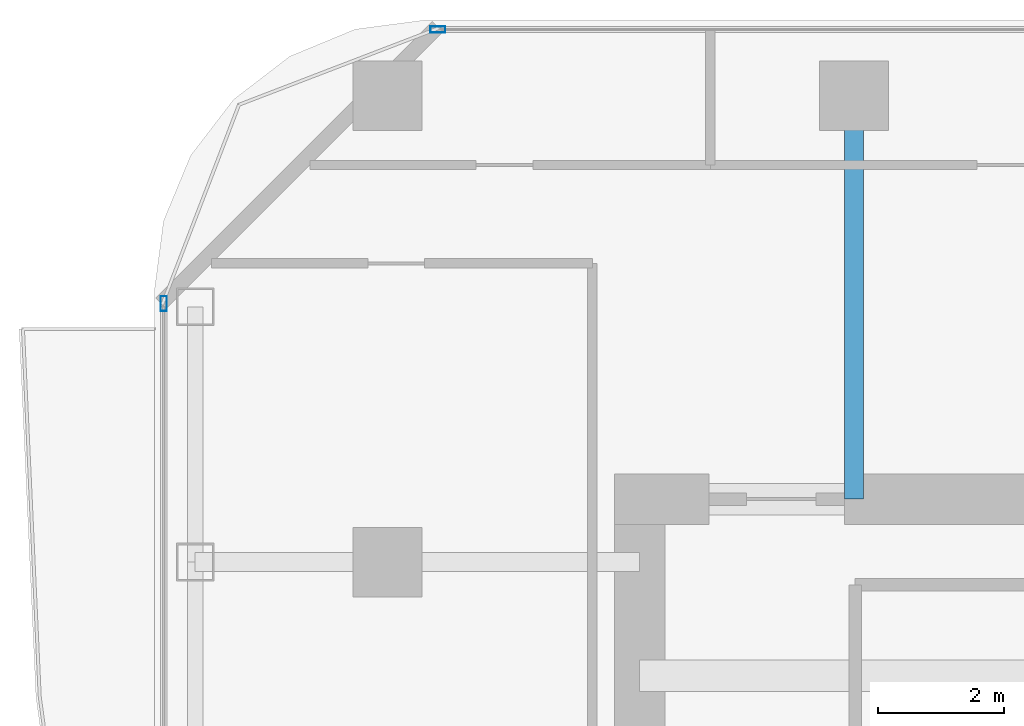
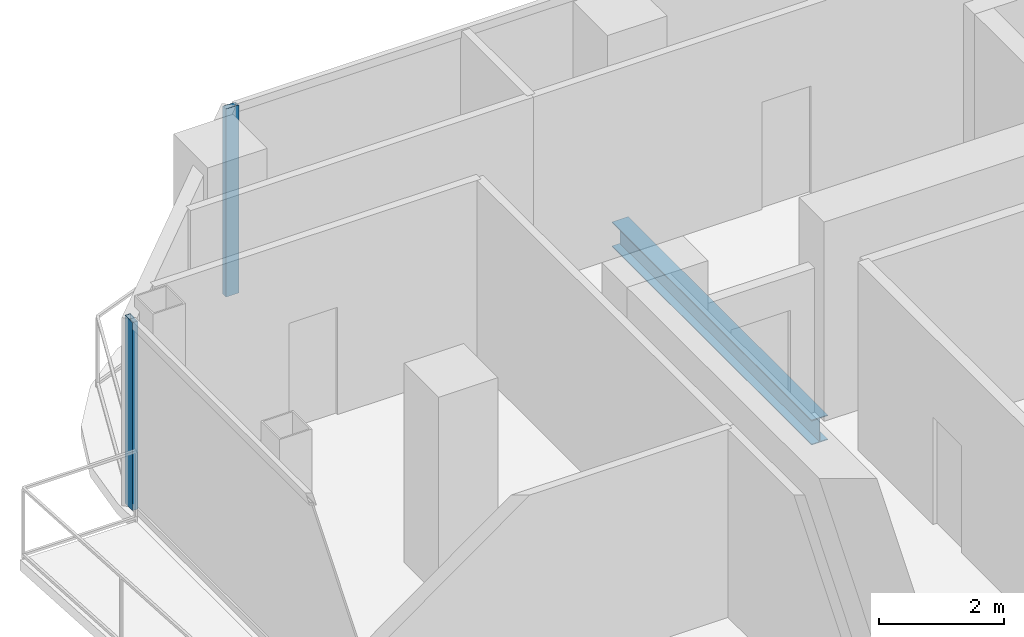
# One storey, part 14 of 26: 2 members, 1 beam, 2 elements without a shape of their own.
"""IFC4 building model written with IfcOpenShell, lengths in metres."""

from ifc_helpers import new_model, si_unit, direction, frame, origin, origin_2d, place, context, subcontext, project, spatial, hollow_rectangle, i_section, extrude, material, layer, layer_set, material_profile, profile_set, type_object, element, aggregate, save


model = new_model("IFC4")

# Units and contexts
model_context = context("Model", 3, precision=1e-05, world=origin(), true_north=direction((0.0, 1.0)))
body_context = subcontext(model_context, "Body", "Model", "MODEL_VIEW")
ifc_project = project(units=[si_unit("LENGTHUNIT", "METRE"), si_unit("AREAUNIT", "SQUARE_METRE"), si_unit("VOLUMEUNIT", "CUBIC_METRE"), si_unit("PLANEANGLEUNIT", "RADIAN"), si_unit("MASSUNIT", "GRAM", prefix="KILO")], contexts=[model_context])

# Site, building, storey
site_placement = place(None, origin())
site = spatial("IfcSite", under=ifc_project, at=site_placement, CompositionType="ELEMENT")
building_placement = place(site_placement, origin())
building = spatial("IfcBuilding", under=site, at=building_placement, Name="Khorvyn Point Tower", CompositionType="ELEMENT")
storey_placement = place(building_placement, frame((0.0, 0.0, 223.5)))
storey = spatial("IfcBuildingStorey", under=building, at=storey_placement, Name="L55", CompositionType="ELEMENT", Elevation=223.5)

# Curtain wall, member
ifc_material_1 = material(Name="Anodised aluminium 6063-T6 and laminated Low-E glass", Category="aluminium")
ifc_layer = layer(ifc_material_1, 0.18994140625)
ifc_layer_set = layer_set([ifc_layer], Name="Stick-Built Acoustic Curtain Wall CW-SYS-03")
curtain_wall_type = type_object("IfcCurtainWallType", Name="Stick-Built Acoustic Curtain Wall CW-SYS-03", PredefinedType="NOTDEFINED", material=ifc_layer_set)
curtain_wall_1_placement = place(storey_placement, origin())
curtain_wall_1 = element("IfcCurtainWall", 1, at=curtain_wall_1_placement, inside=storey, type_object=curtain_wall_type, Name="Curtain Wall", PredefinedType="NOTDEFINED")
ifc_material_2 = material(Name="Anodised aluminium 6063-T6", Category="aluminium")
ifc_material_profile_1 = material_profile(ifc_material_2, hollow_rectangle(XDim=0.10009765625, YDim=0.239990234375, WallThickness=0.0048828125, at=origin_2d()))
ifc_profile_set_1 = profile_set([ifc_material_profile_1], Name="Anodised aluminium 6063-T6 ALU-MUL-100x240")
member_type = type_object("IfcMemberType", Name="Anodised Aluminium 6063-T6 Mullion ALU-MUL-100x240", PredefinedType="MULLION", material=ifc_profile_set_1)
member_1_placement = place(storey_placement, frame((-14.0, 15.85009765625, 0.0), z_axis=(0.0, 0.0, 1.0), x_axis=(0.0, 1.0, 0.0)))
member_1 = element("IfcMember", 2, at=member_1_placement, type_object=member_type, Name="Transom", PredefinedType="MULLION", context=body_context, shape_type="SweptSolid", body=[
    extrude(hollow_rectangle(XDim=0.10009765625, YDim=0.239990234375, WallThickness=0.0048828125, at=origin_2d()), origin(), (0.0, 0.0, 1.0), 3.679931640625),
])
aggregate(curtain_wall_1, [member_1])

curtain_wall_2_placement = place(storey_placement, origin())
curtain_wall_2 = element("IfcCurtainWall", 3, at=curtain_wall_2_placement, inside=storey, type_object=curtain_wall_type, Name="Curtain Wall", PredefinedType="NOTDEFINED")
member_2_placement = place(storey_placement, frame((-18.35009765625, 11.5, 0.0), z_axis=(0.0, 0.0, 1.0), x_axis=(-1.0, 0.0, 0.0)))
member_2 = element("IfcMember", 4, at=member_2_placement, type_object=member_type, Name="Transom", PredefinedType="MULLION", context=body_context, shape_type="SweptSolid", body=[
    extrude(hollow_rectangle(XDim=0.10009765625, YDim=0.239990234375, WallThickness=0.0048828125, at=origin_2d()), origin(), (0.0, 0.0, 1.0), 3.679931640625),
])
aggregate(curtain_wall_2, [member_2])

# Beam
ifc_material_3 = material(Name="Steel S355", Category="steel")
ifc_material_profile_2 = material_profile(ifc_material_3, i_section(OverallWidth=0.300048828125, OverallDepth=0.488037109375, WebThickness=0.010986328125, FlangeThickness=0.01806640625, at=origin_2d()))
ifc_profile_set_2 = profile_set([ifc_material_profile_2], Name="Steel S355 H488x300x11x18")
beam_type = type_object("IfcBeamType", Name="Steel S355 Spandrel H488x300x11x18", PredefinedType="SPANDREL", material=ifc_profile_set_2)
beam_placement = place(storey_placement, frame((-7.39990234375, 8.39990234375, -0.464111328125), z_axis=(0.0, 1.0, 0.0), x_axis=(-1.0, 0.0, 0.0)))
element("IfcBeam", 5, at=beam_placement, inside=storey, type_object=beam_type, Name="Beam", PredefinedType="SPANDREL", context=body_context, shape_type="SweptSolid", body=[
    extrude(i_section(OverallWidth=0.300048828125, OverallDepth=0.488037109375, WebThickness=0.010986328125, FlangeThickness=0.01806640625, at=origin_2d()), origin(), (0.0, 0.0, 1.0), 6.400146484375),
])

save(model, "model.ifc")
